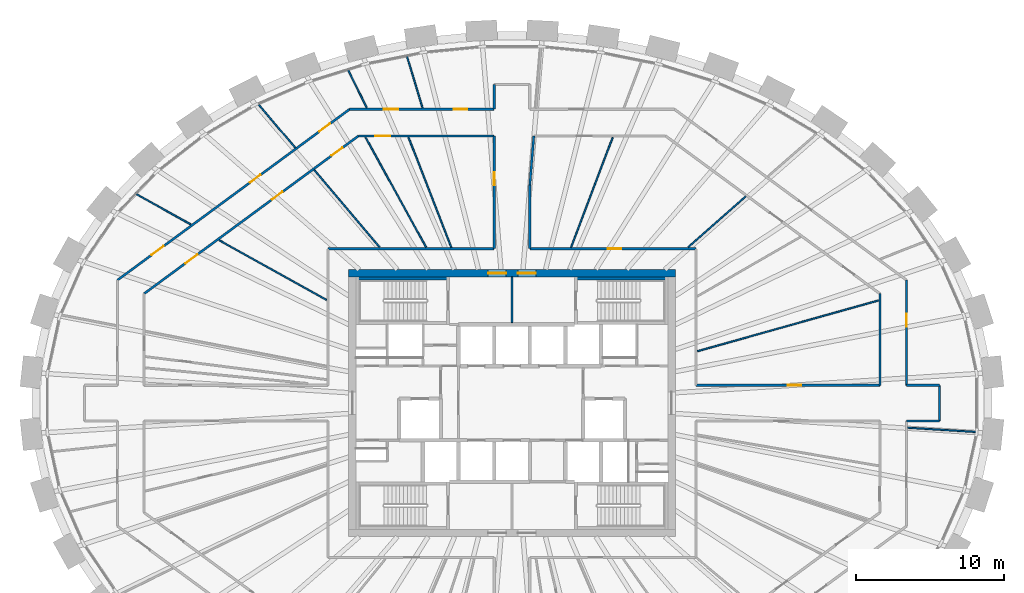
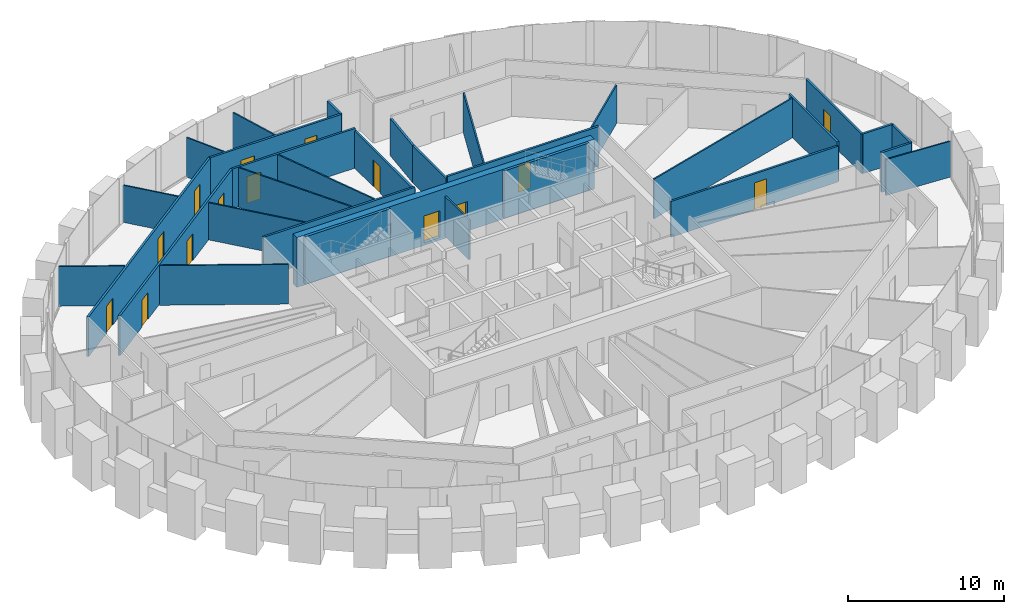
# One storey, part 10 of 12: 32 walls, 15 doors, 15 openings.
"""IFC4 building model written with IfcOpenShell, lengths in metres."""

from ifc_helpers import new_model, si_unit, direction, frame, frame_2d, origin, place, context, subcontext, project, spatial, rectangle, extrude, source, transform, mapped, material, layer, layer_set, type_object, element, fill, save


model = new_model("IFC4")

# Units and contexts
model_context = context("Model", 3, precision=1e-05, world=origin(), true_north=direction((0.0, 1.0)))
body_context = subcontext(model_context, "Body", "Model", "MODEL_VIEW")
ifc_project = project(units=[si_unit("LENGTHUNIT", "METRE"), si_unit("AREAUNIT", "SQUARE_METRE"), si_unit("VOLUMEUNIT", "CUBIC_METRE"), si_unit("PLANEANGLEUNIT", "RADIAN"), si_unit("MASSUNIT", "GRAM", prefix="KILO")], contexts=[model_context])

# Site, building, storey
site_placement = place(None, origin())
site = spatial("IfcSite", under=ifc_project, at=site_placement, CompositionType="ELEMENT")
building_placement = place(site_placement, origin())
building = spatial("IfcBuilding", under=site, at=building_placement, Name="Embergate Tower", CompositionType="ELEMENT")
storey_placement = place(building_placement, frame((0.0, 0.0, 273.39990234375)))
storey = spatial("IfcBuildingStorey", under=building, at=storey_placement, Name="L63", CompositionType="ELEMENT", Elevation=273.39990234375)

# Wall, openings, doors
ifc_material_1 = material(Name="Concrete C50", Category="concrete")
ifc_layer_1 = layer(ifc_material_1, 0.5)
ifc_layer_set_1 = layer_set([ifc_layer_1], Name="Concrete C50")
wall_type_1 = type_object("IfcWallType", Name="Core outer wall C50 500", PredefinedType="SHEAR", material=ifc_layer_set_1)
shared_shape_1 = source(origin(), body_context, "Body", "SweptSolid", [
    extrude(rectangle(XDim=22.0, YDim=0.5, at=frame_2d((11.0, 0.0))), origin(), (0.0, 0.0, 1.0), 3.900146484375),
])
wall_1_placement = place(storey_placement, frame((-11.0, 8.75, -0.199951171875), z_axis=(0.0, 0.0, 1.0), x_axis=(1.0, 0.0, 0.0)))
wall_1 = element("IfcWall", 1, at=wall_1_placement, inside=storey, type_object=wall_type_1, Name="CW-L63-N", PredefinedType="SHEAR", context=body_context, shape_type="MappedRepresentation", body=[
    mapped(shared_shape_1, transform((0.0, 0.0, 0.0))),
])
shared_shape_2 = source(origin(), body_context, "Body", "SweptSolid", [
    extrude(rectangle(XDim=1.199951171875, YDim=2.10009765625, at=frame_2d((0.60009765625, 1.050048828125))), frame((0.0, 0.260009765625, 0.0), z_axis=(0.0, -1.0, 0.0), x_axis=(1.0, 0.0, 0.0)), (0.0, 0.0, 1.0), 0.52001953125),
])
opening_1_placement = place(wall_1_placement, frame((9.39990234375, 0.0, 0.199951171875)))
opening_1 = element("IfcOpeningElement", 2, at=opening_1_placement, cuts=wall_1, Name="Opening IF-1", PredefinedType="OPENING", context=body_context, shape_type="MappedRepresentation", body=[
    mapped(shared_shape_2, transform((0.0, 0.0, 0.0))),
])
opening_2_placement = place(wall_1_placement, frame((11.39990234375, 0.0, 0.199951171875)))
opening_2 = element("IfcOpeningElement", 3, at=opening_2_placement, cuts=wall_1, Name="Opening IF-1", PredefinedType="OPENING", context=body_context, shape_type="MappedRepresentation", body=[
    mapped(shared_shape_2, transform((0.0, 0.0, 0.0))),
])
ifc_material_2 = material(Name="Escape fire door 1200")
door_type_1 = type_object("IfcDoorType", Name="Escape fire door 1200", OperationType="SINGLE_SWING_LEFT", PredefinedType="DOOR", material=ifc_material_2)
shared_shape_3 = source(origin(), body_context, "Body", "SweptSolid", [
    extrude(rectangle(XDim=1.199951171875, YDim=2.10009765625, at=frame_2d((0.60009765625, 1.050048828125))), frame((0.0, 0.02490234375, 0.0), z_axis=(0.0, -1.0, 0.0), x_axis=(1.0, 0.0, 0.0)), (0.0, 0.0, 1.0), 0.050048828125),
])
door_1_placement = place(opening_1_placement, origin())
door_1 = element("IfcDoor", 4, at=door_1_placement, inside=storey, type_object=door_type_1, Name="IF-1 door", OperationType="SINGLE_SWING_RIGHT", OverallHeight=2.10009765625, OverallWidth=1.199951171875, PredefinedType="DOOR", context=body_context, shape_type="MappedRepresentation", body=[
    mapped(shared_shape_3, transform((0.0, 0.0, 0.0))),
])
fill(opening_1, door_1)
door_2_placement = place(opening_2_placement, origin())
door_2 = element("IfcDoor", 5, at=door_2_placement, inside=storey, type_object=door_type_1, Name="IF-1 door", OperationType="SINGLE_SWING_LEFT", OverallHeight=2.10009765625, OverallWidth=1.199951171875, PredefinedType="DOOR", context=body_context, shape_type="MappedRepresentation", body=[
    mapped(shared_shape_3, transform((0.0, 0.0, 0.0))),
])
fill(opening_2, door_2)

# Wall, opening, door
ifc_material_3 = material(Name="Corridor wall dry-lined 150")
ifc_layer_2 = layer(ifc_material_3, 0.14990234375)
ifc_layer_set_2 = layer_set([ifc_layer_2], Name="Corridor wall dry-lined 150")
wall_type_2 = type_object("IfcWallType", Name="Corridor wall dry-lined 150", PredefinedType="PARTITIONING", material=ifc_layer_set_2)
shared_shape_4 = source(origin(), body_context, "Body", "SweptSolid", [
    extrude(rectangle(XDim=11.199951171875, YDim=0.14990234375, at=frame_2d((5.60009765625, 0.0))), origin(), (0.0, 0.0, 1.0), 3.10009765625),
])
wall_2_placement = place(storey_placement, frame((1.199951171875, 10.39990234375, 0.0), z_axis=(0.0, 0.0, 1.0), x_axis=(1.0, 0.0, 0.0)))
wall_2 = element("IfcWall", 6, at=wall_2_placement, inside=storey, type_object=wall_type_2, Name="IP-2 wall", PredefinedType="PARTITIONING", context=body_context, shape_type="MappedRepresentation", body=[
    mapped(shared_shape_4, transform((0.0, 0.0, 0.0))),
])
shared_shape_5 = source(origin(), body_context, "Body", "SweptSolid", [
    extrude(rectangle(XDim=0.89990234375, YDim=2.10009765625, at=frame_2d((0.449951171875, 1.050048828125))), frame((0.0, 0.0849609375, 0.0), z_axis=(0.0, -1.0, 0.0), x_axis=(1.0, 0.0, 0.0)), (0.0, 0.0, 1.0), 0.169921875),
])
opening_3_placement = place(wall_2_placement, frame((5.248046875, 0.0, 0.0)))
opening_3 = element("IfcOpeningElement", 7, at=opening_3_placement, cuts=wall_2, Name="Opening IF-1c", PredefinedType="OPENING", context=body_context, shape_type="MappedRepresentation", body=[
    mapped(shared_shape_5, transform((0.0, 0.0, 0.0))),
])
ifc_material_4 = material(Name="Escape fire door 900")
door_type_2 = type_object("IfcDoorType", Name="Escape fire door 900", OperationType="SINGLE_SWING_LEFT", PredefinedType="DOOR", material=ifc_material_4)
shared_shape_6 = source(origin(), body_context, "Body", "SweptSolid", [
    extrude(rectangle(XDim=0.89990234375, YDim=2.10009765625, at=frame_2d((0.449951171875, 1.050048828125))), frame((0.0, 0.02490234375, 0.0), z_axis=(0.0, -1.0, 0.0), x_axis=(1.0, 0.0, 0.0)), (0.0, 0.0, 1.0), 0.050048828125),
])
door_3_placement = place(opening_3_placement, origin())
door_3 = element("IfcDoor", 8, at=door_3_placement, inside=storey, type_object=door_type_2, Name="IF-1 door", OperationType="SINGLE_SWING_RIGHT", OverallHeight=2.10009765625, OverallWidth=0.89990234375, PredefinedType="DOOR", context=body_context, shape_type="MappedRepresentation", body=[
    mapped(shared_shape_6, transform((0.0, 0.0, 0.0))),
])
fill(opening_3, door_3)

# Walls
wall_3_placement = place(storey_placement, frame((-12.39990234375, 10.39990234375, 0.0), z_axis=(0.0, 0.0, 1.0), x_axis=(1.0, 0.0, 0.0)))
element("IfcWall", 9, at=wall_3_placement, inside=storey, type_object=wall_type_2, Name="IP-2 wall", PredefinedType="PARTITIONING", context=body_context, shape_type="MappedRepresentation", body=[
    mapped(shared_shape_4, transform((0.0, 0.0, 0.0))),
])
shared_shape_7 = source(origin(), body_context, "Body", "SweptSolid", [
    extrude(rectangle(XDim=2.39990234375, YDim=0.14990234375, at=frame_2d((1.199951171875, 0.0))), origin(), (0.0, 0.0, 1.0), 3.10009765625),
])
wall_4_placement = place(storey_placement, frame((28.797119140625, -1.199951171875, 0.0), z_axis=(0.0, 0.0, 1.0), x_axis=(0.0, 1.0, 0.0)))
element("IfcWall", 10, at=wall_4_placement, inside=storey, type_object=wall_type_2, Name="IP-2 wall", PredefinedType="PARTITIONING", context=body_context, shape_type="MappedRepresentation", body=[
    mapped(shared_shape_7, transform((0.0, 0.0, 0.0))),
])
ifc_material_5 = material(Name="Core partition blockwork 120")
ifc_layer_3 = layer(ifc_material_5, 0.1201171875)
ifc_layer_set_3 = layer_set([ifc_layer_3], Name="Core partition blockwork 120")
wall_type_3 = type_object("IfcWallType", Name="Core partition blockwork 120", PredefinedType="PARTITIONING", material=ifc_layer_set_3)
shared_shape_8 = source(origin(), body_context, "Body", "SweptSolid", [
    extrude(rectangle(XDim=3.074951171875, YDim=0.1201171875, at=frame_2d((1.53759765625, 0.0))), origin(), (0.0, 0.0, 1.0), 3.10009765625),
])
wall_5_placement = place(storey_placement, frame((0.0, 5.425048828125, 0.0), z_axis=(0.0, 0.0, 1.0), x_axis=(0.0, 1.0, 0.0)))
element("IfcWall", 11, at=wall_5_placement, inside=storey, type_object=wall_type_3, Name="IP-3 wall", PredefinedType="PARTITIONING", context=body_context, shape_type="MappedRepresentation", body=[
    mapped(shared_shape_8, transform((0.0, 0.0, 0.0))),
])
ifc_layer_4 = layer(ifc_material_1, 0.199951171875)
ifc_layer_set_4 = layer_set([ifc_layer_4], Name="Concrete C50")
wall_type_4 = type_object("IfcWallType", Name="Stair enclosure wall reinforced concrete 250", PredefinedType="SHEAR", material=ifc_layer_set_4)
shared_shape_9 = source(origin(), body_context, "Body", "SweptSolid", [
    extrude(rectangle(XDim=6.298095703125, YDim=0.199951171875, at=frame_2d((3.14892578125, 0.0))), origin(), (0.0, 0.0, 1.0), 3.7001953125),
])
for number, where, z_axis, x_axis, name in (
    (12, (-4.201904296875, 8.39990234375, 0.0), (0.0, 0.0, 1.0), (-1.0, 0.0, 0.0), "SE-1 wall"),
    (13, (10.5, 8.39990234375, 0.0), (0.0, 0.0, 1.0), (-1.0, 0.0, 0.0), "SE-1 wall"),
):
    element("IfcWall", number, at=place(storey_placement, frame(where, z_axis=z_axis, x_axis=x_axis)), inside=storey, type_object=wall_type_4, Name=name, PredefinedType="SHEAR", context=body_context, shape_type="MappedRepresentation", body=[
        mapped(shared_shape_9, transform((0.0, 0.0, 0.0))),
    ])

# Wall, openings, doors
shared_shape_10 = source(origin(), body_context, "Body", "SweptSolid", [
    extrude(rectangle(XDim=19.429931640625, YDim=0.14990234375, at=frame_2d((9.71484375, 0.0))), origin(), (0.0, 0.0, 1.0), 3.10009765625),
])
wall_6_placement = place(storey_placement, frame((-10.93310546875, 19.802001953125, 0.0), z_axis=(0.0, 0.0, 1.0), x_axis=(-0.8053507143, -0.592798639486, 0.0)))
wall_6 = element("IfcWall", 14, at=wall_6_placement, inside=storey, type_object=wall_type_2, Name="IP-2 wall", PredefinedType="PARTITIONING", context=body_context, shape_type="MappedRepresentation", body=[
    mapped(shared_shape_10, transform((0.0, 0.0, 0.0))),
])
opening_4_placement = place(wall_6_placement, frame((1.64599609375, 0.0, 0.0)))
opening_4 = element("IfcOpeningElement", 15, at=opening_4_placement, cuts=wall_6, Name="Opening IF-1c", PredefinedType="OPENING", context=body_context, shape_type="MappedRepresentation", body=[
    mapped(shared_shape_5, transform((0.0, 0.0, 0.0))),
])
opening_5_placement = place(wall_6_placement, frame((7.449462890625, 0.0, 0.0)))
opening_5 = element("IfcOpeningElement", 16, at=opening_5_placement, cuts=wall_6, Name="Opening IF-1c", PredefinedType="OPENING", context=body_context, shape_type="MappedRepresentation", body=[
    mapped(shared_shape_5, transform((0.0, 0.0, 0.0))),
])
shared_shape_11 = source(origin(), body_context, "Body", "SweptSolid", [
    extrude(rectangle(XDim=1.0, YDim=2.10009765625, at=frame_2d((0.5, 1.050048828125))), frame((0.0, 0.0849609375, 0.0), z_axis=(0.0, -1.0, 0.0), x_axis=(1.0, 0.0, 0.0)), (0.0, 0.0, 1.0), 0.169921875),
])
opening_6_placement = place(wall_6_placement, frame((15.571044921875, 0.0, 0.0)))
opening_6 = element("IfcOpeningElement", 17, at=opening_6_placement, cuts=wall_6, Name="Opening ID-2", PredefinedType="OPENING", context=body_context, shape_type="MappedRepresentation", body=[
    mapped(shared_shape_11, transform((0.0, 0.0, 0.0))),
])
door_4_placement = place(opening_4_placement, origin())
door_4 = element("IfcDoor", 18, at=door_4_placement, inside=storey, type_object=door_type_2, Name="IF-1 door", OperationType="SINGLE_SWING_RIGHT", OverallHeight=2.10009765625, OverallWidth=0.89990234375, PredefinedType="DOOR", context=body_context, shape_type="MappedRepresentation", body=[
    mapped(shared_shape_6, transform((0.0, 0.0, 0.0))),
])
fill(opening_4, door_4)
door_5_placement = place(opening_5_placement, origin())
door_5 = element("IfcDoor", 19, at=door_5_placement, inside=storey, type_object=door_type_2, Name="IF-1 door", OperationType="SINGLE_SWING_LEFT", OverallHeight=2.10009765625, OverallWidth=0.89990234375, PredefinedType="DOOR", context=body_context, shape_type="MappedRepresentation", body=[
    mapped(shared_shape_6, transform((0.0, 0.0, 0.0))),
])
fill(opening_5, door_5)
ifc_material_6 = material(Name="Interior door 1000")
door_type_3 = type_object("IfcDoorType", Name="Interior door 1000", OperationType="SINGLE_SWING_LEFT", PredefinedType="DOOR", material=ifc_material_6)
shared_shape_12 = source(origin(), body_context, "Body", "SweptSolid", [
    extrude(rectangle(XDim=1.0, YDim=2.10009765625, at=frame_2d((0.5, 1.050048828125))), frame((0.0, 0.02490234375, 0.0), z_axis=(0.0, -1.0, 0.0), x_axis=(1.0, 0.0, 0.0)), (0.0, 0.0, 1.0), 0.050048828125),
])
door_6_placement = place(opening_6_placement, origin())
door_6 = element("IfcDoor", 20, at=door_6_placement, inside=storey, type_object=door_type_3, Name="ID-2 door", OperationType="SINGLE_SWING_LEFT", OverallHeight=2.10009765625, OverallWidth=1.0, PredefinedType="DOOR", context=body_context, shape_type="MappedRepresentation", body=[
    mapped(shared_shape_12, transform((0.0, 0.0, 0.0))),
])
fill(opening_6, door_6)

shared_shape_13 = source(origin(), body_context, "Body", "SweptSolid", [
    extrude(rectangle(XDim=9.733154296875, YDim=0.14990234375, at=frame_2d((4.86669921875, 0.0))), origin(), (0.0, 0.0, 1.0), 3.10009765625),
])
wall_7_placement = place(storey_placement, frame((-10.93310546875, 19.802001953125, 0.0), z_axis=(0.0, 0.0, 1.0), x_axis=(1.0, 0.0, 0.0)))
wall_7 = element("IfcWall", 21, at=wall_7_placement, inside=storey, type_object=wall_type_2, Name="IP-2 wall", PredefinedType="PARTITIONING", context=body_context, shape_type="MappedRepresentation", body=[
    mapped(shared_shape_13, transform((0.0, 0.0, 0.0))),
])
opening_7_placement = place(wall_7_placement, frame((7.01611328125, 0.0, 0.0)))
opening_7 = element("IfcOpeningElement", 22, at=opening_7_placement, cuts=wall_7, Name="Opening IF-1c", PredefinedType="OPENING", context=body_context, shape_type="MappedRepresentation", body=[
    mapped(shared_shape_5, transform((0.0, 0.0, 0.0))),
])
opening_8_placement = place(wall_7_placement, frame((2.285888671875, 0.0, 0.0)))
opening_8 = element("IfcOpeningElement", 23, at=opening_8_placement, cuts=wall_7, Name="Opening ID-2", PredefinedType="OPENING", context=body_context, shape_type="MappedRepresentation", body=[
    mapped(shared_shape_11, transform((0.0, 0.0, 0.0))),
])
door_7_placement = place(opening_7_placement, origin())
door_7 = element("IfcDoor", 24, at=door_7_placement, inside=storey, type_object=door_type_2, Name="IF-1 door", OperationType="SINGLE_SWING_LEFT", OverallHeight=2.10009765625, OverallWidth=0.89990234375, PredefinedType="DOOR", context=body_context, shape_type="MappedRepresentation", body=[
    mapped(shared_shape_6, transform((0.0, 0.0, 0.0))),
])
fill(opening_7, door_7)
door_8_placement = place(opening_8_placement, origin())
door_8 = element("IfcDoor", 25, at=door_8_placement, inside=storey, type_object=door_type_3, Name="ID-2 door", OperationType="SINGLE_SWING_LEFT", OverallHeight=2.10009765625, OverallWidth=1.0, PredefinedType="DOOR", context=body_context, shape_type="MappedRepresentation", body=[
    mapped(shared_shape_12, transform((0.0, 0.0, 0.0))),
])
fill(opening_8, door_8)

shared_shape_14 = source(origin(), body_context, "Body", "SweptSolid", [
    extrude(rectangle(XDim=17.9287109375, YDim=0.14990234375, at=frame_2d((8.96435546875, 0.0))), origin(), (0.0, 0.0, 1.0), 3.10009765625),
])
wall_8_placement = place(storey_placement, frame((-24.781005859375, 7.3740234375, 0.0), z_axis=(0.0, 0.0, 1.0), x_axis=(0.805356928681, 0.592790196803, 0.0)))
wall_8 = element("IfcWall", 26, at=wall_8_placement, inside=storey, type_object=wall_type_2, Name="IP-2 wall", PredefinedType="PARTITIONING", context=body_context, shape_type="MappedRepresentation", body=[
    mapped(shared_shape_14, transform((0.0, 0.0, 0.0))),
])
opening_9_placement = place(wall_8_placement, frame((15.681396484375, 0.0, 0.0)))
opening_9 = element("IfcOpeningElement", 27, at=opening_9_placement, cuts=wall_8, Name="Opening IF-1c", PredefinedType="OPENING", context=body_context, shape_type="MappedRepresentation", body=[
    mapped(shared_shape_5, transform((0.0, 0.0, 0.0))),
])
opening_10_placement = place(wall_8_placement, frame((10.68408203125, 0.0, 0.0)))
opening_10 = element("IfcOpeningElement", 28, at=opening_10_placement, cuts=wall_8, Name="Opening IF-1c", PredefinedType="OPENING", context=body_context, shape_type="MappedRepresentation", body=[
    mapped(shared_shape_5, transform((0.0, 0.0, 0.0))),
])
opening_11_placement = place(wall_8_placement, frame((3.449462890625, 0.0, 0.0)))
opening_11 = element("IfcOpeningElement", 29, at=opening_11_placement, cuts=wall_8, Name="Opening ID-2", PredefinedType="OPENING", context=body_context, shape_type="MappedRepresentation", body=[
    mapped(shared_shape_11, transform((0.0, 0.0, 0.0))),
])
door_9_placement = place(opening_9_placement, origin())
door_9 = element("IfcDoor", 30, at=door_9_placement, inside=storey, type_object=door_type_2, Name="IF-1 door", OperationType="SINGLE_SWING_RIGHT", OverallHeight=2.10009765625, OverallWidth=0.89990234375, PredefinedType="DOOR", context=body_context, shape_type="MappedRepresentation", body=[
    mapped(shared_shape_6, transform((0.0, 0.0, 0.0))),
])
fill(opening_9, door_9)
door_10_placement = place(opening_10_placement, origin())
door_10 = element("IfcDoor", 31, at=door_10_placement, inside=storey, type_object=door_type_2, Name="IF-1 door", OperationType="SINGLE_SWING_LEFT", OverallHeight=2.10009765625, OverallWidth=0.89990234375, PredefinedType="DOOR", context=body_context, shape_type="MappedRepresentation", body=[
    mapped(shared_shape_6, transform((0.0, 0.0, 0.0))),
])
fill(opening_10, door_10)
door_11_placement = place(opening_11_placement, origin())
door_11 = element("IfcDoor", 32, at=door_11_placement, inside=storey, type_object=door_type_3, Name="ID-2 door", OperationType="SINGLE_SWING_LEFT", OverallHeight=2.10009765625, OverallWidth=1.0, PredefinedType="DOOR", context=body_context, shape_type="MappedRepresentation", body=[
    mapped(shared_shape_12, transform((0.0, 0.0, 0.0))),
])
fill(opening_11, door_11)

# Wall, opening, door
shared_shape_15 = source(origin(), body_context, "Body", "SweptSolid", [
    extrude(rectangle(XDim=9.14208984375, YDim=0.14990234375, at=frame_2d((4.571044921875, 0.0))), origin(), (0.0, 0.0, 1.0), 3.10009765625),
])
wall_9_placement = place(storey_placement, frame((-1.199951171875, 18.001953125, 0.0), z_axis=(0.0, 0.0, 1.0), x_axis=(-1.0, 0.0, 0.0)))
wall_9 = element("IfcWall", 33, at=wall_9_placement, inside=storey, type_object=wall_type_2, Name="IP-2 wall", PredefinedType="PARTITIONING", context=body_context, shape_type="MappedRepresentation", body=[
    mapped(shared_shape_15, transform((0.0, 0.0, 0.0))),
])
opening_12_placement = place(wall_9_placement, frame((7.012939453125, 0.0, 0.0)))
opening_12 = element("IfcOpeningElement", 34, at=opening_12_placement, cuts=wall_9, Name="Opening ID-2", PredefinedType="OPENING", context=body_context, shape_type="MappedRepresentation", body=[
    mapped(shared_shape_11, transform((0.0, 0.0, 0.0))),
])
door_12_placement = place(opening_12_placement, origin())
door_12 = element("IfcDoor", 35, at=door_12_placement, inside=storey, type_object=door_type_3, Name="ID-2 door", OperationType="SINGLE_SWING_RIGHT", OverallHeight=2.10009765625, OverallWidth=1.0, PredefinedType="DOOR", context=body_context, shape_type="MappedRepresentation", body=[
    mapped(shared_shape_12, transform((0.0, 0.0, 0.0))),
])
fill(opening_12, door_12)

# Wall
shared_shape_16 = source(origin(), body_context, "Body", "SweptSolid", [
    extrude(rectangle(XDim=1.656982421875, YDim=0.14990234375, at=frame_2d((0.82861328125, 0.0))), origin(), (0.0, 0.0, 1.0), 3.10009765625),
])
wall_10_placement = place(storey_placement, frame((-1.199951171875, 19.802001953125, 0.0), z_axis=(0.0, 0.0, 1.0), x_axis=(0.0, 1.0, 0.0)))
element("IfcWall", 36, at=wall_10_placement, inside=storey, type_object=wall_type_2, Name="IP-2 wall", PredefinedType="PARTITIONING", context=body_context, shape_type="MappedRepresentation", body=[
    mapped(shared_shape_16, transform((0.0, 0.0, 0.0))),
])

# Wall, opening, door
shared_shape_17 = source(origin(), body_context, "Body", "SweptSolid", [
    extrude(rectangle(XDim=7.083984375, YDim=0.14990234375, at=frame_2d((3.5419921875, 0.0))), origin(), (0.0, 0.0, 1.0), 3.10009765625),
])
wall_11_placement = place(storey_placement, frame((26.5810546875, 1.199951171875, 0.0), z_axis=(0.0, 0.0, 1.0), x_axis=(0.0, 1.0, 0.0)))
wall_11 = element("IfcWall", 37, at=wall_11_placement, inside=storey, type_object=wall_type_2, Name="IP-2 wall", PredefinedType="PARTITIONING", context=body_context, shape_type="MappedRepresentation", body=[
    mapped(shared_shape_17, transform((0.0, 0.0, 0.0))),
])
opening_13_placement = place(wall_11_placement, frame((3.929931640625, 0.0, 0.0)))
opening_13 = element("IfcOpeningElement", 38, at=opening_13_placement, cuts=wall_11, Name="Opening IF-1c", PredefinedType="OPENING", context=body_context, shape_type="MappedRepresentation", body=[
    mapped(shared_shape_5, transform((0.0, 0.0, 0.0))),
])
door_13_placement = place(opening_13_placement, origin())
door_13 = element("IfcDoor", 39, at=door_13_placement, inside=storey, type_object=door_type_2, Name="IF-1 door", OperationType="SINGLE_SWING_LEFT", OverallHeight=2.10009765625, OverallWidth=0.89990234375, PredefinedType="DOOR", context=body_context, shape_type="MappedRepresentation", body=[
    mapped(shared_shape_6, transform((0.0, 0.0, 0.0))),
])
fill(opening_13, door_13)

# Walls
shared_shape_18 = source(origin(), body_context, "Body", "SweptSolid", [
    extrude(rectangle(XDim=2.216064453125, YDim=0.14990234375, at=frame_2d((1.10791015625, 0.0))), origin(), (0.0, 0.0, 1.0), 3.10009765625),
])
for number, where, z_axis, x_axis, name in (
    (40, (26.5810546875, -1.199951171875, 0.0), (0.0, 0.0, 1.0), (1.0, 0.0, 0.0), "IP-2 wall"),
    (41, (28.797119140625, 1.199951171875, 0.0), (0.0, 0.0, 1.0), (-1.0, 0.0, 0.0), "IP-2 wall"),
):
    element("IfcWall", number, at=place(storey_placement, frame(where, z_axis=z_axis, x_axis=x_axis)), inside=storey, type_object=wall_type_2, Name=name, PredefinedType="PARTITIONING", context=body_context, shape_type="MappedRepresentation", body=[
        mapped(shared_shape_18, transform((0.0, 0.0, 0.0))),
    ])

# Wall, opening, door
shared_shape_19 = source(origin(), body_context, "Body", "SweptSolid", [
    extrude(rectangle(XDim=12.381103515625, YDim=0.14990234375, at=frame_2d((6.1904296875, 0.0))), origin(), (0.0, 0.0, 1.0), 2.800048828125),
])
wall_12_placement = place(storey_placement, frame((12.39990234375, 1.199951171875, 0.0), z_axis=(0.0, 0.0, 1.0), x_axis=(1.0, 0.0, 0.0)))
wall_12 = element("IfcWall", 42, at=wall_12_placement, inside=storey, type_object=wall_type_2, Name="IP-2 wall", PredefinedType="PARTITIONING", context=body_context, shape_type="MappedRepresentation", body=[
    mapped(shared_shape_19, transform((0.0, 0.0, 0.0))),
])
opening_14_placement = place(wall_12_placement, frame((6.176025390625, 0.0, 0.0)))
opening_14 = element("IfcOpeningElement", 43, at=opening_14_placement, cuts=wall_12, Name="Opening IF-1c", PredefinedType="OPENING", context=body_context, shape_type="MappedRepresentation", body=[
    mapped(shared_shape_5, transform((0.0, 0.0, 0.0))),
])
door_14_placement = place(opening_14_placement, origin())
door_14 = element("IfcDoor", 44, at=door_14_placement, inside=storey, type_object=door_type_2, Name="IF-1 door", OperationType="SINGLE_SWING_RIGHT", OverallHeight=2.10009765625, OverallWidth=0.89990234375, PredefinedType="DOOR", context=body_context, shape_type="MappedRepresentation", body=[
    mapped(shared_shape_6, transform((0.0, 0.0, 0.0))),
])
fill(opening_14, door_14)

# Walls
shared_shape_20 = source(origin(), body_context, "Body", "SweptSolid", [
    extrude(rectangle(XDim=6.174072265625, YDim=0.14990234375, at=frame_2d((3.0869140625, 0.0))), origin(), (0.0, 0.0, 1.0), 3.10009765625),
])
wall_13_placement = place(storey_placement, frame((24.781005859375, 1.199951171875, 0.0), z_axis=(0.0, 0.0, 1.0), x_axis=(0.0, 1.0, 0.0)))
element("IfcWall", 45, at=wall_13_placement, inside=storey, type_object=wall_type_2, Name="IP-2 wall", PredefinedType="PARTITIONING", context=body_context, shape_type="MappedRepresentation", body=[
    mapped(shared_shape_20, transform((0.0, 0.0, 0.0))),
])
ifc_material_7 = material(Name="Partition dry-lined 100")
ifc_layer_5 = layer(ifc_material_7, 0.10009765625)
ifc_layer_set_5 = layer_set([ifc_layer_5], Name="Partition dry-lined 100")
wall_type_5 = type_object("IfcWallType", Name="Partition dry-lined 100", PredefinedType="PARTITIONING", material=ifc_layer_set_5)
shared_shape_21 = source(origin(), body_context, "Body", "SweptSolid", [
    extrude(rectangle(XDim=4.64599609375, YDim=0.10009765625, at=frame_2d((2.322998046875, 0.0))), origin(), (0.0, 0.0, 1.0), 2.800048828125),
])
wall_14_placement = place(storey_placement, frame((26.656005859375, -1.656005859375, 0.0), z_axis=(0.0, 0.0, 1.0), x_axis=(0.998075615506, -0.062008594024, 0.0)))
element("IfcWall", 46, at=wall_14_placement, inside=storey, type_object=wall_type_5, Name="IP-1 wall", PredefinedType="PARTITIONING", context=body_context, shape_type="MappedRepresentation", body=[
    mapped(shared_shape_21, transform((0.0, 0.0, 0.0))),
])
shared_shape_22 = source(origin(), body_context, "Body", "SweptSolid", [
    extrude(rectangle(XDim=12.673583984375, YDim=0.10009765625, at=frame_2d((6.3369140625, 0.0))), origin(), (0.0, 0.0, 1.0), 3.10009765625),
])
wall_15_placement = place(storey_placement, frame((24.693115234375, 6.916015625, 0.0), z_axis=(0.0, 0.0, 1.0), x_axis=(-0.962947212239, -0.269689945014, 0.0)))
element("IfcWall", 47, at=wall_15_placement, inside=storey, type_object=wall_type_5, Name="IP-1 wall", PredefinedType="PARTITIONING", context=body_context, shape_type="MappedRepresentation", body=[
    mapped(shared_shape_22, transform((0.0, 0.0, 0.0))),
])
shared_shape_23 = source(origin(), body_context, "Body", "SweptSolid", [
    extrude(rectangle(XDim=5.15234375, YDim=0.10009765625, at=frame_2d((2.576171875, 0.0))), origin(), (0.0, 0.0, 1.0), 3.0),
])
wall_16_placement = place(storey_placement, frame((15.73388671875, 13.927001953125, 0.0), z_axis=(0.0, 0.0, 1.0), x_axis=(-0.748777646215, -0.662821270425, 0.0)))
element("IfcWall", 48, at=wall_16_placement, inside=storey, type_object=wall_type_5, Name="IP-1 wall", PredefinedType="PARTITIONING", context=body_context, shape_type="MappedRepresentation", body=[
    mapped(shared_shape_23, transform((0.0, 0.0, 0.0))),
])
shared_shape_24 = source(origin(), body_context, "Body", "SweptSolid", [
    extrude(rectangle(XDim=7.930908203125, YDim=0.10009765625, at=frame_2d((3.96533203125, 0.0))), origin(), (0.0, 0.0, 1.0), 3.10009765625),
])
wall_17_placement = place(storey_placement, frame((3.97607421875, 10.492919921875, 0.0), z_axis=(0.0, 0.0, 1.0), x_axis=(0.354440788606, 0.935078460543, 0.0)))
element("IfcWall", 49, at=wall_17_placement, inside=storey, type_object=wall_type_5, Name="IP-1 wall", PredefinedType="PARTITIONING", context=body_context, shape_type="MappedRepresentation", body=[
    mapped(shared_shape_24, transform((0.0, 0.0, 0.0))),
])
shared_shape_25 = source(origin(), body_context, "Body", "SweptSolid", [
    extrude(rectangle(XDim=3.70068359375, YDim=0.10009765625, at=frame_2d((1.850341796875, 0.0))), origin(), (0.0, 0.0, 1.0), 3.10009765625),
])
wall_18_placement = place(storey_placement, frame((-6.02587890625, 19.89111328125, 0.0), z_axis=(0.0, 0.0, 1.0), x_axis=(-0.289683288858, 0.957122558587, 0.0)))
element("IfcWall", 50, at=wall_18_placement, inside=storey, type_object=wall_type_5, Name="IP-1 wall", PredefinedType="PARTITIONING", context=body_context, shape_type="MappedRepresentation", body=[
    mapped(shared_shape_25, transform((0.0, 0.0, 0.0))),
])
shared_shape_26 = source(origin(), body_context, "Body", "SweptSolid", [
    extrude(rectangle(XDim=2.91015625, YDim=0.10009765625, at=frame_2d((1.455078125, 0.0))), origin(), (0.0, 0.0, 1.0), 3.10009765625),
])
wall_19_placement = place(storey_placement, frame((-9.785888671875, 19.89892578125, 0.0), z_axis=(0.0, 0.0, 1.0), x_axis=(-0.441600915611, 0.897211586713, 0.0)))
element("IfcWall", 51, at=wall_19_placement, inside=storey, type_object=wall_type_5, Name="IP-1 wall", PredefinedType="PARTITIONING", context=body_context, shape_type="MappedRepresentation", body=[
    mapped(shared_shape_26, transform((0.0, 0.0, 0.0))),
])
shared_shape_27 = source(origin(), body_context, "Body", "SweptSolid", [
    extrude(rectangle(XDim=7.958251953125, YDim=0.10009765625, at=frame_2d((3.97900390625, 0.0))), origin(), (0.0, 0.0, 1.0), 3.10009765625),
])
wall_20_placement = place(storey_placement, frame((-4.0869140625, 10.492919921875, 0.0), z_axis=(0.0, 0.0, 1.0), x_axis=(-0.36279561713, 0.931868735494, 0.0)))
element("IfcWall", 52, at=wall_20_placement, inside=storey, type_object=wall_type_5, Name="IP-1 wall", PredefinedType="PARTITIONING", context=body_context, shape_type="MappedRepresentation", body=[
    mapped(shared_shape_27, transform((0.0, 0.0, 0.0))),
])
shared_shape_28 = source(origin(), body_context, "Body", "SweptSolid", [
    extrude(rectangle(XDim=8.452392578125, YDim=0.10009765625, at=frame_2d((4.22607421875, 0.0))), origin(), (0.0, 0.0, 1.0), 3.10009765625),
])
wall_21_placement = place(storey_placement, frame((-5.784912109375, 10.4990234375, 0.0), z_axis=(0.0, 0.0, 1.0), x_axis=(-0.482591640502, 0.875845482101, 0.0)))
element("IfcWall", 53, at=wall_21_placement, inside=storey, type_object=wall_type_5, Name="IP-1 wall", PredefinedType="PARTITIONING", context=body_context, shape_type="MappedRepresentation", body=[
    mapped(shared_shape_28, transform((0.0, 0.0, 0.0))),
])
shared_shape_29 = source(origin(), body_context, "Body", "SweptSolid", [
    extrude(rectangle(XDim=4.296875, YDim=0.10009765625, at=frame_2d((2.1484375, 0.0))), origin(), (0.0, 0.0, 1.0), 3.10009765625),
])
wall_22_placement = place(storey_placement, frame((-21.64208984375, 12.0390625, 0.0), z_axis=(0.0, 0.0, 1.0), x_axis=(-0.873878396728, 0.486144574929, 0.0)))
element("IfcWall", 54, at=wall_22_placement, inside=storey, type_object=wall_type_5, Name="IP-1 wall", PredefinedType="PARTITIONING", context=body_context, shape_type="MappedRepresentation", body=[
    mapped(shared_shape_29, transform((0.0, 0.0, 0.0))),
])
shared_shape_30 = source(origin(), body_context, "Body", "SweptSolid", [
    extrude(rectangle(XDim=8.272705078125, YDim=0.10009765625, at=frame_2d((4.13623046875, 0.0))), origin(), (0.0, 0.0, 1.0), 3.10009765625),
])
wall_23_placement = place(storey_placement, frame((-12.4990234375, 6.952880859375, 0.0), z_axis=(0.0, 0.0, 1.0), x_axis=(-0.873843879642, 0.486206616586, 0.0)))
element("IfcWall", 55, at=wall_23_placement, inside=storey, type_object=wall_type_5, Name="IP-1 wall", PredefinedType="PARTITIONING", context=body_context, shape_type="MappedRepresentation", body=[
    mapped(shared_shape_30, transform((0.0, 0.0, 0.0))),
])

# Wall, opening, door
shared_shape_31 = source(origin(), body_context, "Body", "SweptSolid", [
    extrude(rectangle(XDim=7.60205078125, YDim=0.14990234375, at=frame_2d((3.801025390625, 0.0))), origin(), (0.0, 0.0, 1.0), 2.900146484375),
])
wall_24_placement = place(storey_placement, frame((-1.199951171875, 10.39990234375, 0.0), z_axis=(0.0, 0.0, 1.0), x_axis=(0.0, 1.0, 0.0)))
wall_24 = element("IfcWall", 56, at=wall_24_placement, inside=storey, type_object=wall_type_2, Name="IP-2 wall", PredefinedType="PARTITIONING", context=body_context, shape_type="MappedRepresentation", body=[
    mapped(shared_shape_31, transform((0.0, 0.0, 0.0))),
])
opening_15_placement = place(wall_24_placement, frame((4.26611328125, 0.0, 0.0)))
opening_15 = element("IfcOpeningElement", 57, at=opening_15_placement, cuts=wall_24, Name="Opening IF-1c", PredefinedType="OPENING", context=body_context, shape_type="MappedRepresentation", body=[
    mapped(shared_shape_5, transform((0.0, 0.0, 0.0))),
])
door_15_placement = place(opening_15_placement, origin())
door_15 = element("IfcDoor", 58, at=door_15_placement, inside=storey, type_object=door_type_2, Name="IF-1 door", OperationType="SINGLE_SWING_RIGHT", OverallHeight=2.10009765625, OverallWidth=0.89990234375, PredefinedType="DOOR", context=body_context, shape_type="MappedRepresentation", body=[
    mapped(shared_shape_6, transform((0.0, 0.0, 0.0))),
])
fill(opening_15, door_15)

# Walls
shared_shape_32 = source(origin(), body_context, "Body", "SweptSolid", [
    extrude(rectangle(XDim=4.2900390625, YDim=0.14990234375, at=frame_2d((2.14501953125, 0.0))), origin(), (0.0, 0.0, 1.0), 2.900146484375),
])
wall_25_placement = place(storey_placement, frame((1.199951171875, 10.39990234375, 0.0), z_axis=(0.0, 0.0, 1.0), x_axis=(0.0, 1.0, 0.0)))
element("IfcWall", 59, at=wall_25_placement, inside=storey, type_object=wall_type_2, Name="IP-2 wall", PredefinedType="PARTITIONING", context=body_context, shape_type="MappedRepresentation", body=[
    mapped(shared_shape_32, transform((0.0, 0.0, 0.0))),
])
shared_shape_33 = source(origin(), body_context, "Body", "SweptSolid", [
    extrude(rectangle(XDim=3.322998046875, YDim=0.14990234375, at=frame_2d((1.66162109375, 0.0))), origin(), (0.0, 0.0, 1.0), 2.900146484375),
])
wall_26_placement = place(storey_placement, frame((1.199951171875, 14.68994140625, 0.0), z_axis=(0.0, 0.0, 1.0), x_axis=(0.081257746754, 0.996693121574, 0.0)))
element("IfcWall", 60, at=wall_26_placement, inside=storey, type_object=wall_type_2, Name="IP-2 wall", PredefinedType="PARTITIONING", context=body_context, shape_type="MappedRepresentation", body=[
    mapped(shared_shape_33, transform((0.0, 0.0, 0.0))),
])
shared_shape_34 = source(origin(), body_context, "Body", "SweptSolid", [
    extrude(rectangle(XDim=3.89013671875, YDim=0.10009765625, at=frame_2d((1.945068359375, 0.0))), origin(), (0.0, 0.0, 1.0), 2.900146484375),
])
wall_27_placement = place(storey_placement, frame((-14.595947265625, 17.197998046875, 0.0), z_axis=(0.0, 0.0, 1.0), x_axis=(-0.647041578334, 0.762454717283, 0.0)))
element("IfcWall", 61, at=wall_27_placement, inside=storey, type_object=wall_type_5, Name="IP-1 wall", PredefinedType="PARTITIONING", context=body_context, shape_type="MappedRepresentation", body=[
    mapped(shared_shape_34, transform((0.0, 0.0, 0.0))),
])
shared_shape_35 = source(origin(), body_context, "Body", "SweptSolid", [
    extrude(rectangle(XDim=6.821533203125, YDim=0.10009765625, at=frame_2d((3.41064453125, 0.0))), origin(), (0.0, 0.0, 1.0), 2.900146484375),
])
wall_28_placement = place(storey_placement, frame((-8.91796875, 10.507080078125, 0.0), z_axis=(0.0, 0.0, 1.0), x_axis=(-0.64707581164, 0.762425664567, 0.0)))
element("IfcWall", 62, at=wall_28_placement, inside=storey, type_object=wall_type_5, Name="IP-1 wall", PredefinedType="PARTITIONING", context=body_context, shape_type="MappedRepresentation", body=[
    mapped(shared_shape_35, transform((0.0, 0.0, 0.0))),
])

save(model, "model.ifc")
